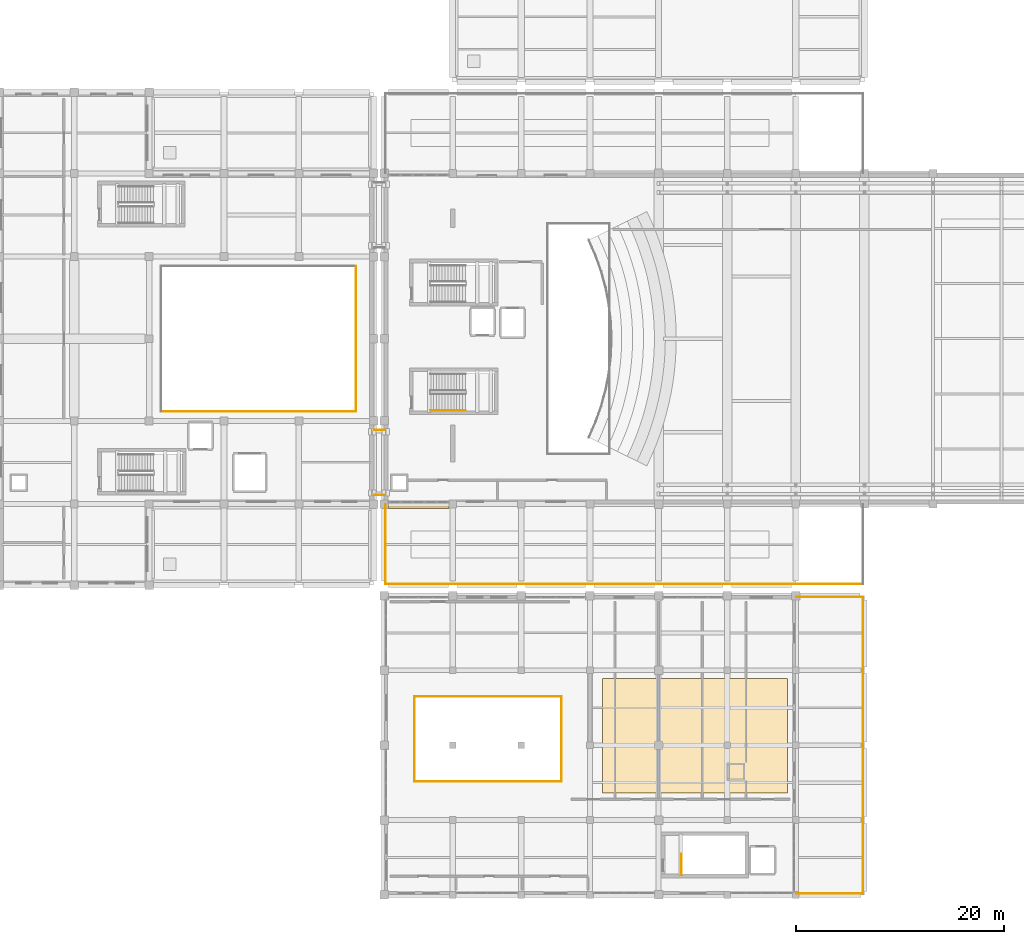
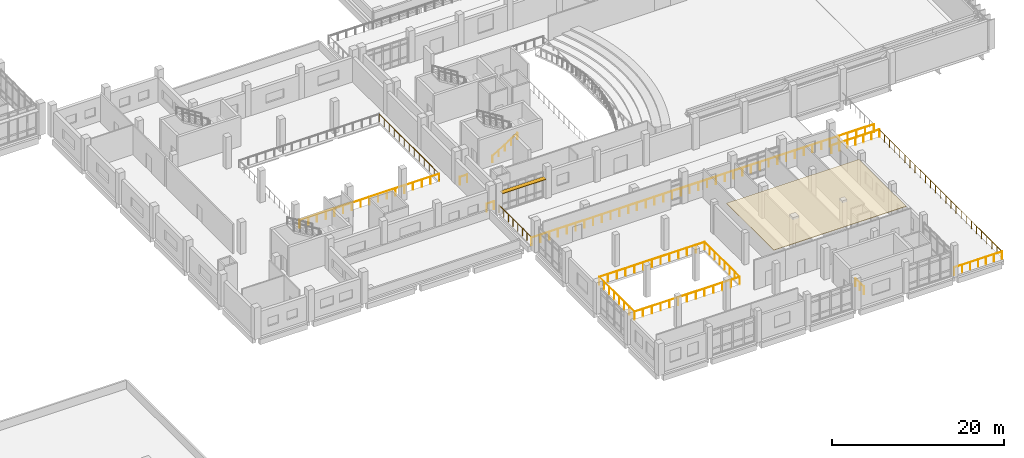
# One storey, part 49 of 54: 15 railings, 1 covering, 1 shading device.
"""IFC4 building model written with IfcOpenShell, lengths in metres."""

from ifc_helpers import new_model, si_unit, direction, frame, origin, origin_2d, place, context, subcontext, project, spatial, polyline, rectangle, circle, outline, extrude, material, layer, layer_set, type_object, element, save


model = new_model("IFC4")

# Units and contexts
model_context = context("Model", 3, precision=1e-05, world=origin(), true_north=direction((0.0, 1.0)))
body_context = subcontext(model_context, "Body", "Model", "MODEL_VIEW")
ifc_project = project(units=[si_unit("LENGTHUNIT", "METRE"), si_unit("AREAUNIT", "SQUARE_METRE"), si_unit("VOLUMEUNIT", "CUBIC_METRE"), si_unit("PLANEANGLEUNIT", "RADIAN"), si_unit("MASSUNIT", "GRAM", prefix="KILO")], contexts=[model_context])

# Site, building, storey
site_placement = place(None, origin())
site = spatial("IfcSite", under=ifc_project, at=site_placement, CompositionType="ELEMENT")
building_placement = place(site_placement, origin())
building = spatial("IfcBuilding", under=site, at=building_placement, Name="Kelarvand Opera House", CompositionType="ELEMENT")
storey_placement = place(building_placement, frame((0.0, 0.0, 15.0)))
storey = spatial("IfcBuildingStorey", under=building, at=storey_placement, Name="L03", CompositionType="ELEMENT", Elevation=15.0)

# Railing
ifc_material_1 = material(Name="Brushed bronze tubular rail")
railing_type_1 = type_object("IfcRailingType", Name="Brushed Bronze Stair Wall Handrail 900", PredefinedType="HANDRAIL", material=ifc_material_1)
railing_1_placement = place(storey_placement, frame((93.4599609375, 55.60009765625, 0.173095703125)))
element("IfcRailing", 1, at=railing_1_placement, inside=storey, type_object=railing_type_1, Name="L03 ST-04 stair handrail 1", PredefinedType="HANDRAIL", context=body_context, shape_type="SweptSolid", body=[
    extrude(circle(Radius=0.02392578125, at=origin_2d()), frame((0.0, 0.0, 0.8759765625), z_axis=(0.850623216509, 0.0, 0.525775754039), x_axis=(0.0, 1.0, 0.0)), (0.0, 0.0, 1.0), 3.9501953125),
    extrude(circle(Radius=0.02099609375, at=origin_2d()), origin(), (0.0, 0.0, 1.0), 0.851806640625),
    extrude(circle(Radius=0.02099609375, at=origin_2d()), frame((0.840087890625, 0.0, 0.519287109375)), (0.0, 0.0, 1.0), 0.851806640625),
    extrude(circle(Radius=0.02099609375, at=origin_2d()), frame((1.68017578125, 0.0, 1.03857421875)), (0.0, 0.0, 1.0), 0.851806640625),
    extrude(circle(Radius=0.02099609375, at=origin_2d()), frame((2.52001953125, 0.0, 1.5576171875)), (0.0, 0.0, 1.0), 0.851806640625),
    extrude(circle(Radius=0.02099609375, at=origin_2d()), frame((3.360107421875, 0.0, 2.076904296875)), (0.0, 0.0, 1.0), 0.851806640625),
])

# Shading device
ifc_material_2 = material(Name="Anodised bronze acoustic louvre")
ifc_layer_1 = layer(ifc_material_2, 0.070068359375, Name="Anodised bronze acoustic louvre")
ifc_layer_set_1 = layer_set([ifc_layer_1], Name="Anodised bronze acoustic louvre")
shading_device_type = type_object("IfcShadingDeviceType", Name="Horizontal Acoustic and Solar Bronze Louvre 600x70", PredefinedType="USERDEFINED", material=ifc_layer_set_1)
shading_device_placement = place(storey_placement, frame((92.3173828125, 46.465087890625, 2.78515625), z_axis=(0.0, 0.0, 1.0), x_axis=(-1.0, 0.0, 0.0)))
element("IfcShadingDevice", 2, at=shading_device_placement, inside=storey, type_object=shading_device_type, Name="V1 Sun Hood Louvre 2", ObjectType="LOUVRE", PredefinedType="USERDEFINED", context=body_context, shape_type="SweptSolid", body=[
    extrude(rectangle(XDim=5.8349609375, YDim=0.60009765625, at=origin_2d()), origin(), (0.0, 0.0, 1.0), 0.070068359375),
])

# Railings
ifc_material_3 = material(Name="Laminated safety glass with bronze cap rail", Category="glass")
railing_type_2 = type_object("IfcRailingType", Name="Laminated Glass and Bronze Foyer Balustrade 1120", PredefinedType="BALUSTRADE", material=ifc_material_3)
railing_2_placement = place(storey_placement, frame((89.1201171875, 46.550048828125, 0.0)))
element("IfcRailing", 3, at=railing_2_placement, inside=storey, type_object=railing_type_2, Name="V1 L03 Balustrade 4", PredefinedType="BALUSTRADE", context=body_context, shape_type="SweptSolid", body=[
    extrude(circle(Radius=0.02392578125, at=origin_2d()), frame((0.0, 0.0, 1.09619140625), z_axis=(0.0, -1.0, 0.0), x_axis=(1.0, 0.0, 0.0)), (0.0, 0.0, 1.0), 7.630126953125),
    extrude(circle(Radius=0.02099609375, at=origin_2d()), origin(), (0.0, 0.0, 1.0), 1.072021484375),
    extrude(circle(Radius=0.02099609375, at=origin_2d()), frame((0.0, -1.090087890625, 0.0)), (0.0, 0.0, 1.0), 1.072021484375),
    extrude(circle(Radius=0.02099609375, at=origin_2d()), frame((0.0, -2.179931640625, 0.0)), (0.0, 0.0, 1.0), 1.072021484375),
    extrude(circle(Radius=0.02099609375, at=origin_2d()), frame((0.0, -3.27001953125, 0.0)), (0.0, 0.0, 1.0), 1.072021484375),
    extrude(circle(Radius=0.02099609375, at=origin_2d()), frame((0.0, -4.360107421875, 0.0)), (0.0, 0.0, 1.0), 1.072021484375),
    extrude(circle(Radius=0.02099609375, at=origin_2d()), frame((0.0, -5.4501953125, 0.0)), (0.0, 0.0, 1.0), 1.072021484375),
    extrude(circle(Radius=0.02099609375, at=origin_2d()), frame((0.0, -6.5400390625, 0.0)), (0.0, 0.0, 1.0), 1.072021484375),
    extrude(circle(Radius=0.02099609375, at=origin_2d()), frame((0.0, -7.630126953125, 0.0)), (0.0, 0.0, 1.0), 1.072021484375),
])
railing_3_placement = place(storey_placement, frame((89.1201171875, 38.919921875, 0.0)))
element("IfcRailing", 4, at=railing_3_placement, inside=storey, type_object=railing_type_2, Name="V1 L03 Balustrade 5", PredefinedType="BALUSTRADE", context=body_context, shape_type="SweptSolid", body=[
    extrude(circle(Radius=0.02392578125, at=origin_2d()), frame((0.0, 0.0, 1.09619140625), z_axis=(1.0, 0.0, 0.0), x_axis=(0.0, 1.0, 0.0)), (0.0, 0.0, 1.0), 45.9599609375),
    extrude(circle(Radius=0.02099609375, at=origin_2d()), origin(), (0.0, 0.0, 1.0), 1.072021484375),
    extrude(circle(Radius=0.02099609375, at=origin_2d()), frame((1.178466796875, 0.0, 0.0)), (0.0, 0.0, 1.0), 1.072021484375),
    extrude(circle(Radius=0.02099609375, at=origin_2d()), frame((2.35693359375, 0.0, 0.0)), (0.0, 0.0, 1.0), 1.072021484375),
    extrude(circle(Radius=0.02099609375, at=origin_2d()), frame((3.535400390625, 0.0, 0.0)), (0.0, 0.0, 1.0), 1.072021484375),
    extrude(circle(Radius=0.02099609375, at=origin_2d()), frame((4.7138671875, 0.0, 0.0)), (0.0, 0.0, 1.0), 1.072021484375),
    extrude(circle(Radius=0.02099609375, at=origin_2d()), frame((5.892333984375, 0.0, 0.0)), (0.0, 0.0, 1.0), 1.072021484375),
    extrude(circle(Radius=0.02099609375, at=origin_2d()), frame((7.07080078125, 0.0, 0.0)), (0.0, 0.0, 1.0), 1.072021484375),
    extrude(circle(Radius=0.02099609375, at=origin_2d()), frame((8.249267578125, 0.0, 0.0)), (0.0, 0.0, 1.0), 1.072021484375),
    extrude(circle(Radius=0.02099609375, at=origin_2d()), frame((9.427734375, 0.0, 0.0)), (0.0, 0.0, 1.0), 1.072021484375),
    extrude(circle(Radius=0.02099609375, at=origin_2d()), frame((10.606201171875, 0.0, 0.0)), (0.0, 0.0, 1.0), 1.072021484375),
    extrude(circle(Radius=0.02099609375, at=origin_2d()), frame((11.78466796875, 0.0, 0.0)), (0.0, 0.0, 1.0), 1.072021484375),
    extrude(circle(Radius=0.02099609375, at=origin_2d()), frame((12.963134765625, 0.0, 0.0)), (0.0, 0.0, 1.0), 1.072021484375),
    extrude(circle(Radius=0.02099609375, at=origin_2d()), frame((14.1416015625, 0.0, 0.0)), (0.0, 0.0, 1.0), 1.072021484375),
    extrude(circle(Radius=0.02099609375, at=origin_2d()), frame((15.320068359375, 0.0, 0.0)), (0.0, 0.0, 1.0), 1.072021484375),
    extrude(circle(Radius=0.02099609375, at=origin_2d()), frame((16.49853515625, 0.0, 0.0)), (0.0, 0.0, 1.0), 1.072021484375),
    extrude(circle(Radius=0.02099609375, at=origin_2d()), frame((17.677001953125, 0.0, 0.0)), (0.0, 0.0, 1.0), 1.072021484375),
    extrude(circle(Radius=0.02099609375, at=origin_2d()), frame((18.85546875, 0.0, 0.0)), (0.0, 0.0, 1.0), 1.072021484375),
    extrude(circle(Radius=0.02099609375, at=origin_2d()), frame((20.033935546875, 0.0, 0.0)), (0.0, 0.0, 1.0), 1.072021484375),
    extrude(circle(Radius=0.02099609375, at=origin_2d()), frame((21.21240234375, 0.0, 0.0)), (0.0, 0.0, 1.0), 1.072021484375),
    extrude(circle(Radius=0.02099609375, at=origin_2d()), frame((22.390869140625, 0.0, 0.0)), (0.0, 0.0, 1.0), 1.072021484375),
    extrude(circle(Radius=0.02099609375, at=origin_2d()), frame((23.569091796875, 0.0, 0.0)), (0.0, 0.0, 1.0), 1.072021484375),
    extrude(circle(Radius=0.02099609375, at=origin_2d()), frame((24.74755859375, 0.0, 0.0)), (0.0, 0.0, 1.0), 1.072021484375),
    extrude(circle(Radius=0.02099609375, at=origin_2d()), frame((25.926025390625, 0.0, 0.0)), (0.0, 0.0, 1.0), 1.072021484375),
    extrude(circle(Radius=0.02099609375, at=origin_2d()), frame((27.1044921875, 0.0, 0.0)), (0.0, 0.0, 1.0), 1.072021484375),
    extrude(circle(Radius=0.02099609375, at=origin_2d()), frame((28.282958984375, 0.0, 0.0)), (0.0, 0.0, 1.0), 1.072021484375),
    extrude(circle(Radius=0.02099609375, at=origin_2d()), frame((29.46142578125, 0.0, 0.0)), (0.0, 0.0, 1.0), 1.072021484375),
    extrude(circle(Radius=0.02099609375, at=origin_2d()), frame((30.639892578125, 0.0, 0.0)), (0.0, 0.0, 1.0), 1.072021484375),
    extrude(circle(Radius=0.02099609375, at=origin_2d()), frame((31.818359375, 0.0, 0.0)), (0.0, 0.0, 1.0), 1.072021484375),
    extrude(circle(Radius=0.02099609375, at=origin_2d()), frame((32.996826171875, 0.0, 0.0)), (0.0, 0.0, 1.0), 1.072021484375),
    extrude(circle(Radius=0.02099609375, at=origin_2d()), frame((34.17529296875, 0.0, 0.0)), (0.0, 0.0, 1.0), 1.072021484375),
    extrude(circle(Radius=0.02099609375, at=origin_2d()), frame((35.353759765625, 0.0, 0.0)), (0.0, 0.0, 1.0), 1.072021484375),
    extrude(circle(Radius=0.02099609375, at=origin_2d()), frame((36.5322265625, 0.0, 0.0)), (0.0, 0.0, 1.0), 1.072021484375),
    extrude(circle(Radius=0.02099609375, at=origin_2d()), frame((37.710693359375, 0.0, 0.0)), (0.0, 0.0, 1.0), 1.072021484375),
    extrude(circle(Radius=0.02099609375, at=origin_2d()), frame((38.88916015625, 0.0, 0.0)), (0.0, 0.0, 1.0), 1.072021484375),
    extrude(circle(Radius=0.02099609375, at=origin_2d()), frame((40.067626953125, 0.0, 0.0)), (0.0, 0.0, 1.0), 1.072021484375),
    extrude(circle(Radius=0.02099609375, at=origin_2d()), frame((41.24609375, 0.0, 0.0)), (0.0, 0.0, 1.0), 1.072021484375),
    extrude(circle(Radius=0.02099609375, at=origin_2d()), frame((42.424560546875, 0.0, 0.0)), (0.0, 0.0, 1.0), 1.072021484375),
    extrude(circle(Radius=0.02099609375, at=origin_2d()), frame((43.60302734375, 0.0, 0.0)), (0.0, 0.0, 1.0), 1.072021484375),
    extrude(circle(Radius=0.02099609375, at=origin_2d()), frame((44.781494140625, 0.0, 0.0)), (0.0, 0.0, 1.0), 1.072021484375),
    extrude(circle(Radius=0.02099609375, at=origin_2d()), frame((45.9599609375, 0.0, 0.0)), (0.0, 0.0, 1.0), 1.072021484375),
])
railing_4_placement = place(storey_placement, frame((128.64990234375, 9.1201171875, 0.0)))
element("IfcRailing", 5, at=railing_4_placement, inside=storey, type_object=railing_type_2, Name="V6 L03 Balustrade 13", PredefinedType="BALUSTRADE", context=body_context, shape_type="SweptSolid", body=[
    extrude(circle(Radius=0.02392578125, at=origin_2d()), frame((0.0, 0.0, 1.09619140625), z_axis=(1.0, 0.0, 0.0), x_axis=(0.0, 1.0, 0.0)), (0.0, 0.0, 1.0), 6.43017578125),
    extrude(circle(Radius=0.02099609375, at=origin_2d()), origin(), (0.0, 0.0, 1.0), 1.072021484375),
    extrude(circle(Radius=0.02099609375, at=origin_2d()), frame((1.07177734375, 0.0, 0.0)), (0.0, 0.0, 1.0), 1.072021484375),
    extrude(circle(Radius=0.02099609375, at=origin_2d()), frame((2.143310546875, 0.0, 0.0)), (0.0, 0.0, 1.0), 1.072021484375),
    extrude(circle(Radius=0.02099609375, at=origin_2d()), frame((3.215087890625, 0.0, 0.0)), (0.0, 0.0, 1.0), 1.072021484375),
    extrude(circle(Radius=0.02099609375, at=origin_2d()), frame((4.286865234375, 0.0, 0.0)), (0.0, 0.0, 1.0), 1.072021484375),
    extrude(circle(Radius=0.02099609375, at=origin_2d()), frame((5.3583984375, 0.0, 0.0)), (0.0, 0.0, 1.0), 1.072021484375),
    extrude(circle(Radius=0.02099609375, at=origin_2d()), frame((6.43017578125, 0.0, 0.0)), (0.0, 0.0, 1.0), 1.072021484375),
])
railing_5_placement = place(storey_placement, frame((135.080078125, 9.1201171875, 0.0)))
element("IfcRailing", 6, at=railing_5_placement, inside=storey, type_object=railing_type_2, Name="V6 L03 Balustrade 14", PredefinedType="BALUSTRADE", context=body_context, shape_type="SweptSolid", body=[
    extrude(circle(Radius=0.02392578125, at=origin_2d()), frame((0.0, 0.0, 1.09619140625), z_axis=(0.0, 1.0, 0.0), x_axis=(-1.0, 0.0, 0.0)), (0.0, 0.0, 1.0), 28.559814453125),
    extrude(circle(Radius=0.02099609375, at=origin_2d()), origin(), (0.0, 0.0, 1.0), 1.072021484375),
    extrude(circle(Radius=0.02099609375, at=origin_2d()), frame((0.0, 1.18994140625, 0.0)), (0.0, 0.0, 1.0), 1.072021484375),
    extrude(circle(Radius=0.02099609375, at=origin_2d()), frame((0.0, 2.3798828125, 0.0)), (0.0, 0.0, 1.0), 1.072021484375),
    extrude(circle(Radius=0.02099609375, at=origin_2d()), frame((0.0, 3.570068359375, 0.0)), (0.0, 0.0, 1.0), 1.072021484375),
    extrude(circle(Radius=0.02099609375, at=origin_2d()), frame((0.0, 4.760009765625, 0.0)), (0.0, 0.0, 1.0), 1.072021484375),
    extrude(circle(Radius=0.02099609375, at=origin_2d()), frame((0.0, 5.949951171875, 0.0)), (0.0, 0.0, 1.0), 1.072021484375),
    extrude(circle(Radius=0.02099609375, at=origin_2d()), frame((0.0, 7.139892578125, 0.0)), (0.0, 0.0, 1.0), 1.072021484375),
    extrude(circle(Radius=0.02099609375, at=origin_2d()), frame((0.0, 8.329833984375, 0.0)), (0.0, 0.0, 1.0), 1.072021484375),
    extrude(circle(Radius=0.02099609375, at=origin_2d()), frame((0.0, 9.52001953125, 0.0)), (0.0, 0.0, 1.0), 1.072021484375),
    extrude(circle(Radius=0.02099609375, at=origin_2d()), frame((0.0, 10.7099609375, 0.0)), (0.0, 0.0, 1.0), 1.072021484375),
    extrude(circle(Radius=0.02099609375, at=origin_2d()), frame((0.0, 11.89990234375, 0.0)), (0.0, 0.0, 1.0), 1.072021484375),
    extrude(circle(Radius=0.02099609375, at=origin_2d()), frame((0.0, 13.08984375, 0.0)), (0.0, 0.0, 1.0), 1.072021484375),
    extrude(circle(Radius=0.02099609375, at=origin_2d()), frame((0.0, 14.27978515625, 0.0)), (0.0, 0.0, 1.0), 1.072021484375),
    extrude(circle(Radius=0.02099609375, at=origin_2d()), frame((0.0, 15.469970703125, 0.0)), (0.0, 0.0, 1.0), 1.072021484375),
    extrude(circle(Radius=0.02099609375, at=origin_2d()), frame((0.0, 16.659912109375, 0.0)), (0.0, 0.0, 1.0), 1.072021484375),
    extrude(circle(Radius=0.02099609375, at=origin_2d()), frame((0.0, 17.849853515625, 0.0)), (0.0, 0.0, 1.0), 1.072021484375),
    extrude(circle(Radius=0.02099609375, at=origin_2d()), frame((0.0, 19.039794921875, 0.0)), (0.0, 0.0, 1.0), 1.072021484375),
    extrude(circle(Radius=0.02099609375, at=origin_2d()), frame((0.0, 20.22998046875, 0.0)), (0.0, 0.0, 1.0), 1.072021484375),
    extrude(circle(Radius=0.02099609375, at=origin_2d()), frame((0.0, 21.419921875, 0.0)), (0.0, 0.0, 1.0), 1.072021484375),
    extrude(circle(Radius=0.02099609375, at=origin_2d()), frame((0.0, 22.60986328125, 0.0)), (0.0, 0.0, 1.0), 1.072021484375),
    extrude(circle(Radius=0.02099609375, at=origin_2d()), frame((0.0, 23.7998046875, 0.0)), (0.0, 0.0, 1.0), 1.072021484375),
    extrude(circle(Radius=0.02099609375, at=origin_2d()), frame((0.0, 24.98974609375, 0.0)), (0.0, 0.0, 1.0), 1.072021484375),
    extrude(circle(Radius=0.02099609375, at=origin_2d()), frame((0.0, 26.179931640625, 0.0)), (0.0, 0.0, 1.0), 1.072021484375),
    extrude(circle(Radius=0.02099609375, at=origin_2d()), frame((0.0, 27.369873046875, 0.0)), (0.0, 0.0, 1.0), 1.072021484375),
    extrude(circle(Radius=0.02099609375, at=origin_2d()), frame((0.0, 28.559814453125, 0.0)), (0.0, 0.0, 1.0), 1.072021484375),
])
railing_6_placement = place(storey_placement, frame((135.080078125, 37.679931640625, 0.0)))
element("IfcRailing", 7, at=railing_6_placement, inside=storey, type_object=railing_type_2, Name="V6 L03 Balustrade 15", PredefinedType="BALUSTRADE", context=body_context, shape_type="SweptSolid", body=[
    extrude(circle(Radius=0.02392578125, at=origin_2d()), frame((0.0, 0.0, 1.09619140625), z_axis=(-1.0, 0.0, 0.0), x_axis=(0.0, -1.0, 0.0)), (0.0, 0.0, 1.0), 6.43017578125),
    extrude(circle(Radius=0.02099609375, at=origin_2d()), origin(), (0.0, 0.0, 1.0), 1.072021484375),
    extrude(circle(Radius=0.02099609375, at=origin_2d()), frame((-1.07177734375, 0.0, 0.0)), (0.0, 0.0, 1.0), 1.072021484375),
    extrude(circle(Radius=0.02099609375, at=origin_2d()), frame((-2.143310546875, 0.0, 0.0)), (0.0, 0.0, 1.0), 1.072021484375),
    extrude(circle(Radius=0.02099609375, at=origin_2d()), frame((-3.215087890625, 0.0, 0.0)), (0.0, 0.0, 1.0), 1.072021484375),
    extrude(circle(Radius=0.02099609375, at=origin_2d()), frame((-4.286865234375, 0.0, 0.0)), (0.0, 0.0, 1.0), 1.072021484375),
    extrude(circle(Radius=0.02099609375, at=origin_2d()), frame((-5.3583984375, 0.0, 0.0)), (0.0, 0.0, 1.0), 1.072021484375),
    extrude(circle(Radius=0.02099609375, at=origin_2d()), frame((-6.43017578125, 0.0, 0.0)), (0.0, 0.0, 1.0), 1.072021484375),
])
railing_7_placement = place(storey_placement, frame((91.919921875, 28.080078125, 0.0)))
element("IfcRailing", 8, at=railing_7_placement, inside=storey, type_object=railing_type_2, Name="V6 L03 Balustrade 93", PredefinedType="BALUSTRADE", context=body_context, shape_type="SweptSolid", body=[
    extrude(circle(Radius=0.02392578125, at=origin_2d()), frame((0.0, 0.0, 1.09619140625), z_axis=(1.0, 0.0, 0.0), x_axis=(0.0, 1.0, 0.0)), (0.0, 0.0, 1.0), 14.16015625),
    extrude(circle(Radius=0.02099609375, at=origin_2d()), origin(), (0.0, 0.0, 1.0), 1.072021484375),
    extrude(circle(Radius=0.02099609375, at=origin_2d()), frame((1.179931640625, 0.0, 0.0)), (0.0, 0.0, 1.0), 1.072021484375),
    extrude(circle(Radius=0.02099609375, at=origin_2d()), frame((2.360107421875, 0.0, 0.0)), (0.0, 0.0, 1.0), 1.072021484375),
    extrude(circle(Radius=0.02099609375, at=origin_2d()), frame((3.5400390625, 0.0, 0.0)), (0.0, 0.0, 1.0), 1.072021484375),
    extrude(circle(Radius=0.02099609375, at=origin_2d()), frame((4.719970703125, 0.0, 0.0)), (0.0, 0.0, 1.0), 1.072021484375),
    extrude(circle(Radius=0.02099609375, at=origin_2d()), frame((5.900146484375, 0.0, 0.0)), (0.0, 0.0, 1.0), 1.072021484375),
    extrude(circle(Radius=0.02099609375, at=origin_2d()), frame((7.080078125, 0.0, 0.0)), (0.0, 0.0, 1.0), 1.072021484375),
    extrude(circle(Radius=0.02099609375, at=origin_2d()), frame((8.260009765625, 0.0, 0.0)), (0.0, 0.0, 1.0), 1.072021484375),
    extrude(circle(Radius=0.02099609375, at=origin_2d()), frame((9.440185546875, 0.0, 0.0)), (0.0, 0.0, 1.0), 1.072021484375),
    extrude(circle(Radius=0.02099609375, at=origin_2d()), frame((10.6201171875, 0.0, 0.0)), (0.0, 0.0, 1.0), 1.072021484375),
    extrude(circle(Radius=0.02099609375, at=origin_2d()), frame((11.800048828125, 0.0, 0.0)), (0.0, 0.0, 1.0), 1.072021484375),
    extrude(circle(Radius=0.02099609375, at=origin_2d()), frame((12.980224609375, 0.0, 0.0)), (0.0, 0.0, 1.0), 1.072021484375),
    extrude(circle(Radius=0.02099609375, at=origin_2d()), frame((14.16015625, 0.0, 0.0)), (0.0, 0.0, 1.0), 1.072021484375),
])
railing_8_placement = place(storey_placement, frame((106.080078125, 28.080078125, 0.0)))
element("IfcRailing", 9, at=railing_8_placement, inside=storey, type_object=railing_type_2, Name="V6 L03 Balustrade 94", PredefinedType="BALUSTRADE", context=body_context, shape_type="SweptSolid", body=[
    extrude(circle(Radius=0.02392578125, at=origin_2d()), frame((0.0, 0.0, 1.09619140625), z_axis=(0.0, -1.0, 0.0), x_axis=(1.0, 0.0, 0.0)), (0.0, 0.0, 1.0), 8.16015625),
    extrude(circle(Radius=0.02099609375, at=origin_2d()), origin(), (0.0, 0.0, 1.0), 1.072021484375),
    extrude(circle(Radius=0.02099609375, at=origin_2d()), frame((0.0, -1.165771484375, 0.0)), (0.0, 0.0, 1.0), 1.072021484375),
    extrude(circle(Radius=0.02099609375, at=origin_2d()), frame((0.0, -2.33154296875, 0.0)), (0.0, 0.0, 1.0), 1.072021484375),
    extrude(circle(Radius=0.02099609375, at=origin_2d()), frame((0.0, -3.497314453125, 0.0)), (0.0, 0.0, 1.0), 1.072021484375),
    extrude(circle(Radius=0.02099609375, at=origin_2d()), frame((0.0, -4.662841796875, 0.0)), (0.0, 0.0, 1.0), 1.072021484375),
    extrude(circle(Radius=0.02099609375, at=origin_2d()), frame((0.0, -5.82861328125, 0.0)), (0.0, 0.0, 1.0), 1.072021484375),
    extrude(circle(Radius=0.02099609375, at=origin_2d()), frame((0.0, -6.994384765625, 0.0)), (0.0, 0.0, 1.0), 1.072021484375),
    extrude(circle(Radius=0.02099609375, at=origin_2d()), frame((0.0, -8.16015625, 0.0)), (0.0, 0.0, 1.0), 1.072021484375),
])
railing_9_placement = place(storey_placement, frame((106.080078125, 19.919921875, 0.0)))
element("IfcRailing", 10, at=railing_9_placement, inside=storey, type_object=railing_type_2, Name="V6 L03 Balustrade 95", PredefinedType="BALUSTRADE", context=body_context, shape_type="SweptSolid", body=[
    extrude(circle(Radius=0.02392578125, at=origin_2d()), frame((0.0, 0.0, 1.09619140625), z_axis=(-1.0, 0.0, 0.0), x_axis=(0.0, -1.0, 0.0)), (0.0, 0.0, 1.0), 14.16015625),
    extrude(circle(Radius=0.02099609375, at=origin_2d()), origin(), (0.0, 0.0, 1.0), 1.072021484375),
    extrude(circle(Radius=0.02099609375, at=origin_2d()), frame((-1.179931640625, 0.0, 0.0)), (0.0, 0.0, 1.0), 1.072021484375),
    extrude(circle(Radius=0.02099609375, at=origin_2d()), frame((-2.360107421875, 0.0, 0.0)), (0.0, 0.0, 1.0), 1.072021484375),
    extrude(circle(Radius=0.02099609375, at=origin_2d()), frame((-3.5400390625, 0.0, 0.0)), (0.0, 0.0, 1.0), 1.072021484375),
    extrude(circle(Radius=0.02099609375, at=origin_2d()), frame((-4.719970703125, 0.0, 0.0)), (0.0, 0.0, 1.0), 1.072021484375),
    extrude(circle(Radius=0.02099609375, at=origin_2d()), frame((-5.900146484375, 0.0, 0.0)), (0.0, 0.0, 1.0), 1.072021484375),
    extrude(circle(Radius=0.02099609375, at=origin_2d()), frame((-7.080078125, 0.0, 0.0)), (0.0, 0.0, 1.0), 1.072021484375),
    extrude(circle(Radius=0.02099609375, at=origin_2d()), frame((-8.260009765625, 0.0, 0.0)), (0.0, 0.0, 1.0), 1.072021484375),
    extrude(circle(Radius=0.02099609375, at=origin_2d()), frame((-9.440185546875, 0.0, 0.0)), (0.0, 0.0, 1.0), 1.072021484375),
    extrude(circle(Radius=0.02099609375, at=origin_2d()), frame((-10.6201171875, 0.0, 0.0)), (0.0, 0.0, 1.0), 1.072021484375),
    extrude(circle(Radius=0.02099609375, at=origin_2d()), frame((-11.800048828125, 0.0, 0.0)), (0.0, 0.0, 1.0), 1.072021484375),
    extrude(circle(Radius=0.02099609375, at=origin_2d()), frame((-12.980224609375, 0.0, 0.0)), (0.0, 0.0, 1.0), 1.072021484375),
    extrude(circle(Radius=0.02099609375, at=origin_2d()), frame((-14.16015625, 0.0, 0.0)), (0.0, 0.0, 1.0), 1.072021484375),
])
railing_10_placement = place(storey_placement, frame((91.919921875, 19.919921875, 0.0)))
element("IfcRailing", 11, at=railing_10_placement, inside=storey, type_object=railing_type_2, Name="V6 L03 Balustrade 96", PredefinedType="BALUSTRADE", context=body_context, shape_type="SweptSolid", body=[
    extrude(circle(Radius=0.02392578125, at=origin_2d()), frame((0.0, 0.0, 1.09619140625), z_axis=(0.0, 1.0, 0.0), x_axis=(-1.0, 0.0, 0.0)), (0.0, 0.0, 1.0), 8.16015625),
    extrude(circle(Radius=0.02099609375, at=origin_2d()), origin(), (0.0, 0.0, 1.0), 1.072021484375),
    extrude(circle(Radius=0.02099609375, at=origin_2d()), frame((0.0, 1.165771484375, 0.0)), (0.0, 0.0, 1.0), 1.072021484375),
    extrude(circle(Radius=0.02099609375, at=origin_2d()), frame((0.0, 2.33154296875, 0.0)), (0.0, 0.0, 1.0), 1.072021484375),
    extrude(circle(Radius=0.02099609375, at=origin_2d()), frame((0.0, 3.497314453125, 0.0)), (0.0, 0.0, 1.0), 1.072021484375),
    extrude(circle(Radius=0.02099609375, at=origin_2d()), frame((0.0, 4.662841796875, 0.0)), (0.0, 0.0, 1.0), 1.072021484375),
    extrude(circle(Radius=0.02099609375, at=origin_2d()), frame((0.0, 5.82861328125, 0.0)), (0.0, 0.0, 1.0), 1.072021484375),
    extrude(circle(Radius=0.02099609375, at=origin_2d()), frame((0.0, 6.994384765625, 0.0)), (0.0, 0.0, 1.0), 1.072021484375),
    extrude(circle(Radius=0.02099609375, at=origin_2d()), frame((0.0, 8.16015625, 0.0)), (0.0, 0.0, 1.0), 1.072021484375),
])
for number, where, name in (
    (12, (88.0, 47.47998046875, 0.0), "V1 L03 Balustrade 153"),
    (13, (88.0, 53.719970703125, 0.0), "V1 L03 Balustrade 154"),
):
    element("IfcRailing", number, at=place(storey_placement, frame(where)), inside=storey, type_object=railing_type_2, Name=name, PredefinedType="BALUSTRADE", context=body_context, shape_type="SweptSolid", body=[
        extrude(circle(Radius=0.02392578125, at=origin_2d()), frame((0.0, 0.0, 1.09619140625), z_axis=(1.0, 0.0, 0.0), x_axis=(0.0, 1.0, 0.0)), (0.0, 0.0, 1.0), 1.0),
        extrude(circle(Radius=0.02099609375, at=origin_2d()), origin(), (0.0, 0.0, 1.0), 1.072021484375),
        extrude(circle(Radius=0.02099609375, at=origin_2d()), frame((1.0, 0.0, 0.0)), (0.0, 0.0, 1.0), 1.072021484375),
    ])
ifc_material_4 = material(Name="Powder-coated Steel S355", Category="steel")
railing_type_3 = type_object("IfcRailingType", Name="Painted Steel Stair and Void Guardrail 1100", PredefinedType="GUARDRAIL", material=ifc_material_4)
railing_11_placement = place(storey_placement, frame((117.610107421875, 11.0, 0.0)))
element("IfcRailing", 14, at=railing_11_placement, inside=storey, type_object=railing_type_3, Name="L03 ST-08 top well guard 1", PredefinedType="GUARDRAIL", context=body_context, shape_type="SweptSolid", body=[
    extrude(circle(Radius=0.02392578125, at=origin_2d()), frame((0.0, 0.0, 1.076171875), z_axis=(0.0, 1.0, 0.0), x_axis=(-1.0, 0.0, 0.0)), (0.0, 0.0, 1.0), 1.93994140625),
    extrude(circle(Radius=0.02099609375, at=origin_2d()), origin(), (0.0, 0.0, 1.0), 1.052001953125),
    extrude(circle(Radius=0.02099609375, at=origin_2d()), frame((0.0, 0.969970703125, 0.0)), (0.0, 0.0, 1.0), 1.052001953125),
    extrude(circle(Radius=0.02099609375, at=origin_2d()), frame((0.0, 1.93994140625, 0.0)), (0.0, 0.0, 1.0), 1.052001953125),
])
railing_12_placement = place(storey_placement, frame((86.280029296875, 69.47998046875, 0.0)))
element("IfcRailing", 15, at=railing_12_placement, inside=storey, type_object=railing_type_3, Name="V2 L03 Guardrail 85", PredefinedType="GUARDRAIL", context=body_context, shape_type="SweptSolid", body=[
    extrude(circle(Radius=0.02392578125, at=origin_2d()), frame((0.0, 0.0, 1.076171875), z_axis=(0.0, -1.0, 0.0), x_axis=(1.0, 0.0, 0.0)), (0.0, 0.0, 1.0), 13.9599609375),
    extrude(circle(Radius=0.02099609375, at=origin_2d()), origin(), (0.0, 0.0, 1.0), 1.052001953125),
    extrude(circle(Radius=0.02099609375, at=origin_2d()), frame((0.0, -1.163330078125, 0.0)), (0.0, 0.0, 1.0), 1.052001953125),
    extrude(circle(Radius=0.02099609375, at=origin_2d()), frame((0.0, -2.32666015625, 0.0)), (0.0, 0.0, 1.0), 1.052001953125),
    extrude(circle(Radius=0.02099609375, at=origin_2d()), frame((0.0, -3.489990234375, 0.0)), (0.0, 0.0, 1.0), 1.052001953125),
    extrude(circle(Radius=0.02099609375, at=origin_2d()), frame((0.0, -4.6533203125, 0.0)), (0.0, 0.0, 1.0), 1.052001953125),
    extrude(circle(Radius=0.02099609375, at=origin_2d()), frame((0.0, -5.816650390625, 0.0)), (0.0, 0.0, 1.0), 1.052001953125),
    extrude(circle(Radius=0.02099609375, at=origin_2d()), frame((0.0, -6.97998046875, 0.0)), (0.0, 0.0, 1.0), 1.052001953125),
    extrude(circle(Radius=0.02099609375, at=origin_2d()), frame((0.0, -8.143310546875, 0.0)), (0.0, 0.0, 1.0), 1.052001953125),
    extrude(circle(Radius=0.02099609375, at=origin_2d()), frame((0.0, -9.306640625, 0.0)), (0.0, 0.0, 1.0), 1.052001953125),
    extrude(circle(Radius=0.02099609375, at=origin_2d()), frame((0.0, -10.469970703125, 0.0)), (0.0, 0.0, 1.0), 1.052001953125),
    extrude(circle(Radius=0.02099609375, at=origin_2d()), frame((0.0, -11.63330078125, 0.0)), (0.0, 0.0, 1.0), 1.052001953125),
    extrude(circle(Radius=0.02099609375, at=origin_2d()), frame((0.0, -12.796630859375, 0.0)), (0.0, 0.0, 1.0), 1.052001953125),
    extrude(circle(Radius=0.02099609375, at=origin_2d()), frame((0.0, -13.9599609375, 0.0)), (0.0, 0.0, 1.0), 1.052001953125),
])
railing_13_placement = place(storey_placement, frame((86.280029296875, 55.52001953125, 0.0)))
element("IfcRailing", 16, at=railing_13_placement, inside=storey, type_object=railing_type_3, Name="V2 L03 Guardrail 86", PredefinedType="GUARDRAIL", context=body_context, shape_type="SweptSolid", body=[
    extrude(circle(Radius=0.02392578125, at=origin_2d()), frame((0.0, 0.0, 1.076171875), z_axis=(-1.0, 0.0, 0.0), x_axis=(0.0, -1.0, 0.0)), (0.0, 0.0, 1.0), 18.760009765625),
    extrude(circle(Radius=0.02099609375, at=origin_2d()), origin(), (0.0, 0.0, 1.0), 1.052001953125),
    extrude(circle(Radius=0.02099609375, at=origin_2d()), frame((-1.172607421875, 0.0, 0.0)), (0.0, 0.0, 1.0), 1.052001953125),
    extrude(circle(Radius=0.02099609375, at=origin_2d()), frame((-2.344970703125, 0.0, 0.0)), (0.0, 0.0, 1.0), 1.052001953125),
    extrude(circle(Radius=0.02099609375, at=origin_2d()), frame((-3.517578125, 0.0, 0.0)), (0.0, 0.0, 1.0), 1.052001953125),
    extrude(circle(Radius=0.02099609375, at=origin_2d()), frame((-4.68994140625, 0.0, 0.0)), (0.0, 0.0, 1.0), 1.052001953125),
    extrude(circle(Radius=0.02099609375, at=origin_2d()), frame((-5.862548828125, 0.0, 0.0)), (0.0, 0.0, 1.0), 1.052001953125),
    extrude(circle(Radius=0.02099609375, at=origin_2d()), frame((-7.034912109375, 0.0, 0.0)), (0.0, 0.0, 1.0), 1.052001953125),
    extrude(circle(Radius=0.02099609375, at=origin_2d()), frame((-8.20751953125, 0.0, 0.0)), (0.0, 0.0, 1.0), 1.052001953125),
    extrude(circle(Radius=0.02099609375, at=origin_2d()), frame((-9.3798828125, 0.0, 0.0)), (0.0, 0.0, 1.0), 1.052001953125),
    extrude(circle(Radius=0.02099609375, at=origin_2d()), frame((-10.552490234375, 0.0, 0.0)), (0.0, 0.0, 1.0), 1.052001953125),
    extrude(circle(Radius=0.02099609375, at=origin_2d()), frame((-11.72509765625, 0.0, 0.0)), (0.0, 0.0, 1.0), 1.052001953125),
    extrude(circle(Radius=0.02099609375, at=origin_2d()), frame((-12.8974609375, 0.0, 0.0)), (0.0, 0.0, 1.0), 1.052001953125),
    extrude(circle(Radius=0.02099609375, at=origin_2d()), frame((-14.070068359375, 0.0, 0.0)), (0.0, 0.0, 1.0), 1.052001953125),
    extrude(circle(Radius=0.02099609375, at=origin_2d()), frame((-15.242431640625, 0.0, 0.0)), (0.0, 0.0, 1.0), 1.052001953125),
    extrude(circle(Radius=0.02099609375, at=origin_2d()), frame((-16.4150390625, 0.0, 0.0)), (0.0, 0.0, 1.0), 1.052001953125),
    extrude(circle(Radius=0.02099609375, at=origin_2d()), frame((-17.58740234375, 0.0, 0.0)), (0.0, 0.0, 1.0), 1.052001953125),
    extrude(circle(Radius=0.02099609375, at=origin_2d()), frame((-18.760009765625, 0.0, 0.0)), (0.0, 0.0, 1.0), 1.052001953125),
])

# Covering
ifc_material_5 = material(Name="Perforated walnut acoustic slats on steel sub-frame", Category="steel")
ifc_layer_2 = layer(ifc_material_5, 0.06005859375, Name="Perforated walnut acoustic slats on steel sub-frame", Category="steel")
ifc_layer_set_2 = layer_set([ifc_layer_2], Name="Perforated walnut acoustic slats on steel sub-frame")
covering_type = type_object("IfcCoveringType", Name="Sculpted Timber Acoustic Soffit and Hall Ceiling 60mm", PredefinedType="CEILING", material=ifc_layer_set_2)
covering_placement = place(storey_placement, frame((0.0, 0.0, 4.139892578125)))
element("IfcCovering", 17, at=covering_placement, inside=storey, type_object=covering_type, Name="V6 L03 Acoustic Walnut Ceiling 10", PredefinedType="CEILING", context=body_context, shape_type="SweptSolid", body=[
    extrude(outline(polyline([(110.0, 18.800048828125), (127.800048828125, 18.800048828125), (127.800048828125, 29.800048828125), (110.0, 29.800048828125), (110.0, 18.800048828125)])), origin(), (0.0, 0.0, 1.0), 0.06005859375),
])

save(model, "model.ifc")
